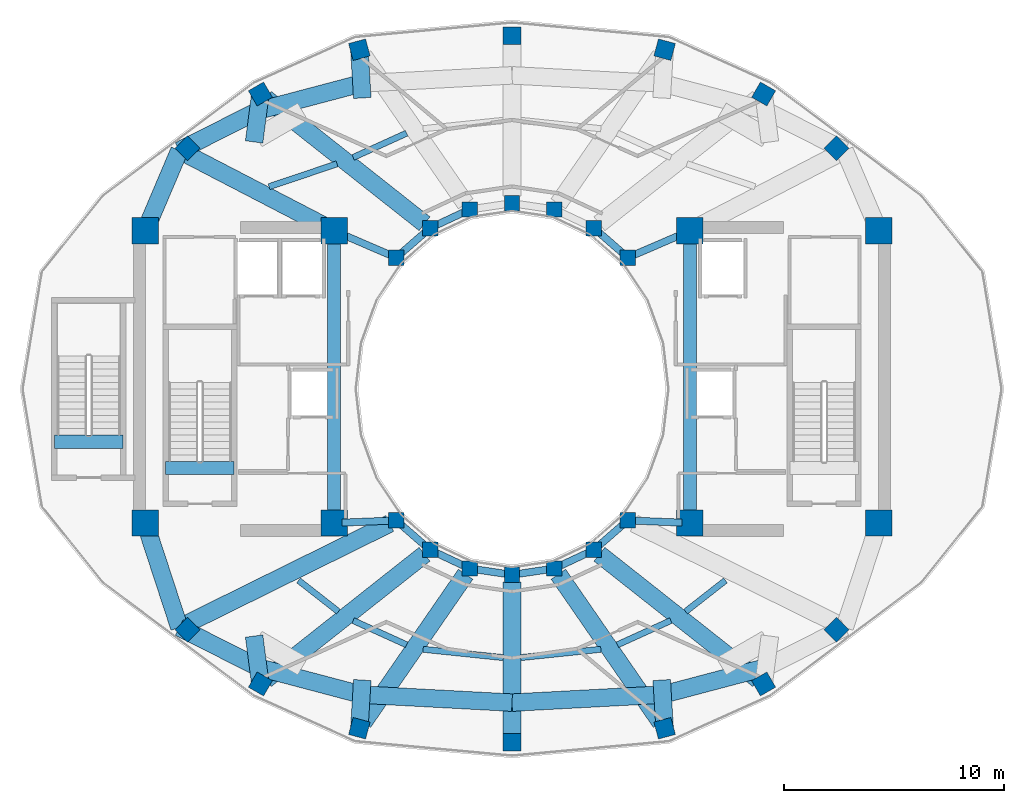
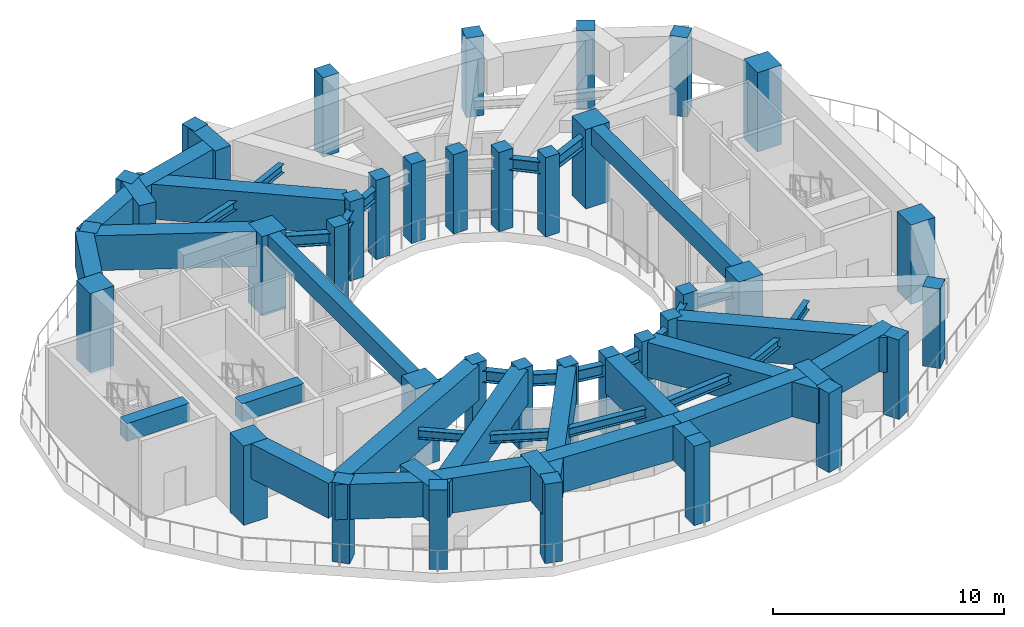
# One storey, part 1 of 9: 47 beams, 36 columns.
"""IFC4 building model written with IfcOpenShell, lengths in metres."""

from ifc_helpers import new_model, si_unit, direction, frame, origin, origin_2d, place, context, subcontext, project, spatial, rectangle, i_section, extrude, material, material_profile, profile_set, type_object, element, save


model = new_model("IFC4")

# Units and contexts
model_context = context("Model", 3, precision=1e-05, world=origin(), true_north=direction((0.0, 1.0)))
body_context = subcontext(model_context, "Body", "Model", "MODEL_VIEW")
ifc_project = project(units=[si_unit("LENGTHUNIT", "METRE"), si_unit("AREAUNIT", "SQUARE_METRE"), si_unit("VOLUMEUNIT", "CUBIC_METRE"), si_unit("PLANEANGLEUNIT", "RADIAN"), si_unit("MASSUNIT", "GRAM", prefix="KILO")], contexts=[model_context])

# Site, building, storey
site_placement = place(None, origin())
site = spatial("IfcSite", under=ifc_project, at=site_placement, CompositionType="ELEMENT")
building_placement = place(site_placement, origin())
building = spatial("IfcBuilding", under=site, at=building_placement, Name="Solvane Sanctuary Tower", CompositionType="ELEMENT")
storey_placement = place(building_placement, frame((0.0, 0.0, 197.39990234375)))
storey = spatial("IfcBuildingStorey", under=building, at=storey_placement, Name="L60", CompositionType="ELEMENT", Elevation=197.39990234375)

# Columns
ifc_material_1 = material(Name="Concrete C50/60", Category="concrete")
ifc_material_profile_1 = material_profile(ifc_material_1, rectangle(XDim=0.699951171875, YDim=0.699951171875, at=origin_2d()), Name="RC700X700")
ifc_profile_set_1 = profile_set([ifc_material_profile_1], Name="Concrete C50/60")
column_type_1 = type_object("IfcColumnType", Name="Column C-RING-Z4 RC700X700", PredefinedType="COLUMN", material=ifc_profile_set_1)
for number, where, z_axis, x_axis, name in (
    (1, (37.27490234375, 28.982177734375, 0.0), (0.0, 0.0, 1.0), (1.0, 0.0, 0.0), "L60 Inner Light-Well Ring Column IC01"),
    (2, (35.72998046875, 30.32666015625, 0.0), (0.0, 0.0, 1.0), (1.0, 0.0, 0.0), "L60 Inner Light-Well Ring Column IC02"),
    (3, (33.930908203125, 31.171630859375, 0.0), (0.0, 0.0, 1.0), (1.0, 0.0, 0.0), "L60 Inner Light-Well Ring Column IC03"),
    (4, (32.0, 31.4599609375, 0.0), (0.0, 0.0, 1.0), (1.0, 0.0, 0.0), "L60 Inner Light-Well Ring Column IC04"),
    (5, (30.069091796875, 31.171630859375, 0.0), (0.0, 0.0, 1.0), (1.0, 0.0, 0.0), "L60 Inner Light-Well Ring Column IC05"),
    (6, (28.27001953125, 30.32666015625, 0.0), (0.0, 0.0, 1.0), (1.0, 0.0, 0.0), "L60 Inner Light-Well Ring Column IC06"),
    (7, (26.72509765625, 28.982177734375, 0.0), (0.0, 0.0, 1.0), (1.0, 0.0, 0.0), "L60 Inner Light-Well Ring Column IC07"),
    (8, (26.72509765625, 17.017822265625, 0.0), (0.0, 0.0, 1.0), (1.0, 0.0, 0.0), "L60 Inner Light-Well Ring Column IC08"),
    (9, (28.27001953125, 15.67333984375, 0.0), (0.0, 0.0, 1.0), (1.0, 0.0, 0.0), "L60 Inner Light-Well Ring Column IC09"),
    (10, (30.069091796875, 14.828369140625, 0.0), (0.0, 0.0, 1.0), (1.0, 0.0, 0.0), "L60 Inner Light-Well Ring Column IC10"),
    (11, (32.0, 14.5400390625, 0.0), (0.0, 0.0, 1.0), (1.0, 0.0, 0.0), "L60 Inner Light-Well Ring Column IC11"),
    (12, (33.930908203125, 14.828369140625, 0.0), (0.0, 0.0, 1.0), (1.0, 0.0, 0.0), "L60 Inner Light-Well Ring Column IC12"),
    (13, (35.72998046875, 15.67333984375, 0.0), (0.0, 0.0, 1.0), (1.0, 0.0, 0.0), "L60 Inner Light-Well Ring Column IC13"),
    (14, (37.27490234375, 17.017822265625, 0.0), (0.0, 0.0, 1.0), (1.0, 0.0, 0.0), "L60 Inner Light-Well Ring Column IC14"),
):
    element("IfcColumn", number, at=place(storey_placement, frame(where, z_axis=z_axis, x_axis=x_axis)), inside=storey, type_object=column_type_1, Name=name, PredefinedType="COLUMN", context=body_context, shape_type="SweptSolid", body=[
        extrude(rectangle(XDim=0.699951171875, YDim=0.699951171875, at=origin_2d()), origin(), (0.0, 0.0, 1.0), 4.2001953125),
    ])
ifc_material_2 = material(Name="Concrete C70/85", Category="concrete")
ifc_material_profile_2 = material_profile(ifc_material_2, rectangle(XDim=1.199951171875, YDim=1.199951171875, at=origin_2d()), Name="RC1200X1200")
ifc_profile_set_2 = profile_set([ifc_material_profile_2], Name="Concrete C70/85")
column_type_2 = type_object("IfcColumnType", Name="Column C-TUBE-Z1 RC1200X1200", PredefinedType="COLUMN", material=ifc_profile_set_2)
for number, where, z_axis, x_axis, name in (
    (15, (15.300048828125, 16.89990234375, 0.0), (0.0, 0.0, 1.0), (1.0, 0.0, 0.0), "L60 Core Corner Column CW1"),
    (16, (23.89990234375, 16.89990234375, 0.0), (0.0, 0.0, 1.0), (1.0, 0.0, 0.0), "L60 Core Corner Column CW2"),
    (17, (23.89990234375, 30.199951171875, 0.0), (0.0, 0.0, 1.0), (1.0, 0.0, 0.0), "L60 Core Corner Column CW3"),
    (18, (15.300048828125, 30.199951171875, 0.0), (0.0, 0.0, 1.0), (1.0, 0.0, 0.0), "L60 Core Corner Column CW4"),
    (19, (40.10009765625, 16.89990234375, 0.0), (0.0, 0.0, 1.0), (1.0, 0.0, 0.0), "L60 Core Corner Column CE1"),
    (20, (48.699951171875, 16.89990234375, 0.0), (0.0, 0.0, 1.0), (1.0, 0.0, 0.0), "L60 Core Corner Column CE2"),
    (21, (48.699951171875, 30.199951171875, 0.0), (0.0, 0.0, 1.0), (1.0, 0.0, 0.0), "L60 Core Corner Column CE3"),
    (22, (40.10009765625, 30.199951171875, 0.0), (0.0, 0.0, 1.0), (1.0, 0.0, 0.0), "L60 Core Corner Column CE4"),
):
    element("IfcColumn", number, at=place(storey_placement, frame(where, z_axis=z_axis, x_axis=x_axis)), inside=storey, type_object=column_type_2, Name=name, PredefinedType="COLUMN", context=body_context, shape_type="SweptSolid", body=[
        extrude(rectangle(XDim=1.199951171875, YDim=1.199951171875, at=origin_2d()), origin(), (0.0, 0.0, 1.0), 4.2001953125),
    ])
ifc_material_profile_3 = material_profile(ifc_material_1, rectangle(XDim=0.800048828125, YDim=0.800048828125, at=origin_2d()), Name="RC800X800")
ifc_profile_set_3 = profile_set([ifc_material_profile_3], Name="Concrete C50/60")
column_type_3 = type_object("IfcColumnType", Name="Column C-TUBE-Z4 RC800X800", PredefinedType="COLUMN", material=ifc_profile_set_3)
for number, where, z_axis, x_axis, name in (
    (23, (46.77978515625, 33.962158203125, 0.0), (0.0, 0.0, 1.0), (0.707106781187, 0.707106781187, 0.0), "L60 Perimeter Tube Column TC01"),
    (24, (43.456298828125, 36.4296875, 0.0), (0.0, 0.0, 1.0), (0.5, 0.866025403784, 0.0), "L60 Perimeter Tube Column TC02"),
    (25, (38.949951171875, 38.4462890625, 0.0), (0.0, 0.0, 1.0), (0.258819045103, 0.965925826289, 0.0), "L60 Perimeter Tube Column TC03"),
    (26, (32.0, 39.080078125, 0.0), (0.0, 0.0, 1.0), (0.0, 1.0, 0.0), "L60 Perimeter Tube Column TC04"),
    (27, (25.050048828125, 38.4462890625, 0.0), (0.0, 0.0, 1.0), (-0.258819045103, 0.965925826289, 0.0), "L60 Perimeter Tube Column TC05"),
    (28, (20.543701171875, 36.4296875, 0.0), (0.0, 0.0, 1.0), (-0.5, 0.866025403784, 0.0), "L60 Perimeter Tube Column TC06"),
    (29, (17.22021484375, 33.962158203125, 0.0), (0.0, 0.0, 1.0), (-0.707106781187, 0.707106781187, 0.0), "L60 Perimeter Tube Column TC07"),
    (30, (17.22021484375, 12.037841796875, 0.0), (0.0, 0.0, 1.0), (-0.707106781187, -0.707106781187, 0.0), "L60 Perimeter Tube Column TC08"),
    (31, (20.543701171875, 9.5703125, 0.0), (0.0, 0.0, 1.0), (-0.5, -0.866025403784, 0.0), "L60 Perimeter Tube Column TC09"),
    (32, (25.050048828125, 7.5537109375, 0.0), (0.0, 0.0, 1.0), (-0.258819045103, -0.965925826289, 0.0), "L60 Perimeter Tube Column TC10"),
    (33, (32.0, 6.919921875, 0.0), (0.0, 0.0, 1.0), (0.0, -1.0, 0.0), "L60 Perimeter Tube Column TC11"),
    (34, (38.949951171875, 7.5537109375, 0.0), (0.0, 0.0, 1.0), (0.258819045103, -0.965925826289, 0.0), "L60 Perimeter Tube Column TC12"),
    (35, (43.456298828125, 9.5703125, 0.0), (0.0, 0.0, 1.0), (0.5, -0.866025403784, 0.0), "L60 Perimeter Tube Column TC13"),
    (36, (46.77978515625, 12.037841796875, 0.0), (0.0, 0.0, 1.0), (0.707106781187, -0.707106781187, 0.0), "L60 Perimeter Tube Column TC14"),
):
    element("IfcColumn", number, at=place(storey_placement, frame(where, z_axis=z_axis, x_axis=x_axis)), inside=storey, type_object=column_type_3, Name=name, PredefinedType="COLUMN", context=body_context, shape_type="SweptSolid", body=[
        extrude(rectangle(XDim=0.800048828125, YDim=0.800048828125, at=origin_2d()), origin(), (0.0, 0.0, 1.0), 4.2001953125),
    ])

# Beams
ifc_material_profile_4 = material_profile(ifc_material_2, rectangle(XDim=0.60009765625, YDim=0.949951171875, at=origin_2d()), Name="RC600X950")
ifc_profile_set_4 = profile_set([ifc_material_profile_4], Name="Concrete C70/85")
beam_type_1 = type_object("IfcBeamType", Name="Beam B-COUPLE RC600X950", PredefinedType="LINTEL", material=ifc_profile_set_4)
for number, where, z_axis, x_axis, name in (
    (37, (23.89990234375, 17.35009765625, 3.72509765625), (0.0, 1.0, 0.0), (-1.0, 0.0, 0.0), "L60 West Core Coupling Lintel"),
    (38, (40.10009765625, 17.35009765625, 3.72509765625), (0.0, 1.0, 0.0), (-1.0, 0.0, 0.0), "L60 East Core Coupling Lintel"),
):
    element("IfcBeam", number, at=place(storey_placement, frame(where, z_axis=z_axis, x_axis=x_axis)), inside=storey, type_object=beam_type_1, Name=name, PredefinedType="LINTEL", context=body_context, shape_type="SweptSolid", body=[
        extrude(rectangle(XDim=0.60009765625, YDim=0.949951171875, at=origin_2d()), origin(), (0.0, 0.0, 1.0), 12.39990234375),
    ])
for number, where, z_axis, x_axis, name in (
    (39, (16.22998046875, 19.399169921875, 3.72509765625), (1.0, 0.0, 0.0), (0.0, 1.0, 0.0), "L60 ST-1 Stair Floor Landing Trimmer"),
    (40, (11.169921875, 20.59912109375, 3.72509765625), (1.0, 0.0, 0.0), (0.0, 1.0, 0.0), "L60 ST-3 Stair Floor Landing Trimmer"),
):
    element("IfcBeam", number, at=place(storey_placement, frame(where, z_axis=z_axis, x_axis=x_axis)), inside=storey, type_object=beam_type_1, Name=name, PredefinedType="LINTEL", context=body_context, shape_type="SweptSolid", body=[
        extrude(rectangle(XDim=0.60009765625, YDim=0.949951171875, at=origin_2d()), origin(), (0.0, 0.0, 1.0), 3.1201171875),
    ])
ifc_material_3 = material(Name="Steel ASTM A992 Grade 50", Category="steel")
ifc_material_profile_5 = material_profile(ifc_material_3, i_section(OverallWidth=0.324951171875, OverallDepth=0.615966796875, WebThickness=0.013916015625, FlangeThickness=0.021484375, FilletRadius=0.01611328125, at=origin_2d()), Name="W24X117")
ifc_profile_set_5 = profile_set([ifc_material_profile_5], Name="Steel ASTM A992 Grade 50")
beam_type_2 = type_object("IfcBeamType", Name="Beam B-RING-IN2 W24X117", PredefinedType="BEAM", material=ifc_profile_set_5)
beam_1_placement = place(storey_placement, frame((24.230712890625, 30.0576171875, 3.39013671875), z_axis=(0.918283854026, -0.395922673554, 0.0), x_axis=(0.395922673554, 0.918283854026, 0.0)))
element("IfcBeam", 41, at=beam_1_placement, inside=storey, type_object=beam_type_2, Name="L60 Inner Light-Well Ring Beam CW3-IC07", PredefinedType="BEAM", context=body_context, shape_type="SweptSolid", body=[
    extrude(i_section(OverallWidth=0.324951171875, OverallDepth=0.615966796875, WebThickness=0.013916015625, FlangeThickness=0.021484375, FilletRadius=0.01611328125, at=origin_2d()), origin(), (0.0, 0.0, 1.0), 2.396240234375),
])
beam_2_placement = place(storey_placement, frame((26.96630859375, 29.192138671875, 3.39013671875), z_axis=(0.754388985763, 0.656427648839, 0.0), x_axis=(-0.656427648839, 0.754388985763, 0.0)))
element("IfcBeam", 42, at=beam_2_placement, inside=storey, type_object=beam_type_2, Name="L60 Inner Light-Well Ring Beam IC07-IC06", PredefinedType="BEAM", context=body_context, shape_type="SweptSolid", body=[
    extrude(i_section(OverallWidth=0.324951171875, OverallDepth=0.615966796875, WebThickness=0.013916015625, FlangeThickness=0.021484375, FilletRadius=0.01611328125, at=origin_2d()), origin(), (0.0, 0.0, 1.0), 1.408203125),
])
beam_3_placement = place(storey_placement, frame((28.5595703125, 30.462646484375, 3.39013671875), z_axis=(0.905134542189, 0.425125229241, 0.0), x_axis=(-0.425125229241, 0.905134542189, 0.0)))
element("IfcBeam", 43, at=beam_3_placement, inside=storey, type_object=beam_type_2, Name="L60 Inner Light-Well Ring Beam IC06-IC05", PredefinedType="BEAM", context=body_context, shape_type="SweptSolid", body=[
    extrude(i_section(OverallWidth=0.324951171875, OverallDepth=0.615966796875, WebThickness=0.013916015625, FlangeThickness=0.021484375, FilletRadius=0.01611328125, at=origin_2d()), origin(), (0.0, 0.0, 1.0), 1.347900390625),
])
beam_4_placement = place(storey_placement, frame((35.971435546875, 30.116455078125, 3.39013671875), z_axis=(0.754388985763, -0.656427648839, 0.0), x_axis=(0.656427648839, 0.754388985763, 0.0)))
element("IfcBeam", 44, at=beam_4_placement, inside=storey, type_object=beam_type_2, Name="L60 Inner Light-Well Ring Beam IC02-IC01", PredefinedType="BEAM", context=body_context, shape_type="SweptSolid", body=[
    extrude(i_section(OverallWidth=0.324951171875, OverallDepth=0.615966796875, WebThickness=0.013916015625, FlangeThickness=0.021484375, FilletRadius=0.01611328125, at=origin_2d()), origin(), (0.0, 0.0, 1.0), 1.408203125),
])
beam_5_placement = place(storey_placement, frame((37.56884765625, 29.10888671875, 3.39013671875), z_axis=(0.918283854026, 0.395922673554, 0.0), x_axis=(-0.395922673554, 0.918283854026, 0.0)))
element("IfcBeam", 45, at=beam_5_placement, inside=storey, type_object=beam_type_2, Name="L60 Inner Light-Well Ring Beam IC01-CE4", PredefinedType="BEAM", context=body_context, shape_type="SweptSolid", body=[
    extrude(i_section(OverallWidth=0.324951171875, OverallDepth=0.615966796875, WebThickness=0.013916015625, FlangeThickness=0.021484375, FilletRadius=0.01611328125, at=origin_2d()), origin(), (0.0, 0.0, 1.0), 2.396240234375),
])
beam_6_placement = place(storey_placement, frame((24.259765625, 16.9150390625, 3.39013671875), z_axis=(0.999129127803, 0.041725124022, 0.0), x_axis=(-0.041725124022, 0.999129127803, 0.0)))
element("IfcBeam", 46, at=beam_6_placement, inside=storey, type_object=beam_type_2, Name="L60 Inner Light-Well Ring Beam CW2-IC08", PredefinedType="BEAM", context=body_context, shape_type="SweptSolid", body=[
    extrude(i_section(OverallWidth=0.324951171875, OverallDepth=0.615966796875, WebThickness=0.013916015625, FlangeThickness=0.021484375, FilletRadius=0.01611328125, at=origin_2d()), origin(), (0.0, 0.0, 1.0), 2.1474609375),
])
beam_7_placement = place(storey_placement, frame((26.96630859375, 16.807861328125, 3.39013671875), z_axis=(0.754388985763, -0.656427648839, 0.0), x_axis=(0.656427648839, 0.754388985763, 0.0)))
element("IfcBeam", 47, at=beam_7_placement, inside=storey, type_object=beam_type_2, Name="L60 Inner Light-Well Ring Beam IC08-IC09", PredefinedType="BEAM", context=body_context, shape_type="SweptSolid", body=[
    extrude(i_section(OverallWidth=0.324951171875, OverallDepth=0.615966796875, WebThickness=0.013916015625, FlangeThickness=0.021484375, FilletRadius=0.01611328125, at=origin_2d()), origin(), (0.0, 0.0, 1.0), 1.408203125),
])
beam_8_placement = place(storey_placement, frame((28.5595703125, 15.537353515625, 3.39013671875), z_axis=(0.905134542189, -0.425125229241, 0.0), x_axis=(0.425125229241, 0.905134542189, 0.0)))
element("IfcBeam", 48, at=beam_8_placement, inside=storey, type_object=beam_type_2, Name="L60 Inner Light-Well Ring Beam IC09-IC10", PredefinedType="BEAM", context=body_context, shape_type="SweptSolid", body=[
    extrude(i_section(OverallWidth=0.324951171875, OverallDepth=0.615966796875, WebThickness=0.013916015625, FlangeThickness=0.021484375, FilletRadius=0.01611328125, at=origin_2d()), origin(), (0.0, 0.0, 1.0), 1.347900390625),
])
for number, where, z_axis, x_axis, name in (
    (49, (30.3857421875, 14.781005859375, 3.39013671875), (0.989056121481, -0.147539786368, 0.0), (0.147539786368, 0.989056121481, 0.0), "L60 Inner Light-Well Ring Beam IC10-IC11"),
    (50, (32.31640625, 14.58740234375, 3.39013671875), (0.989056121481, 0.147539786368, 0.0), (-0.147539786368, 0.989056121481, 0.0), "L60 Inner Light-Well Ring Beam IC11-IC12"),
):
    element("IfcBeam", number, at=place(storey_placement, frame(where, z_axis=z_axis, x_axis=x_axis)), inside=storey, type_object=beam_type_2, Name=name, PredefinedType="BEAM", context=body_context, shape_type="SweptSolid", body=[
        extrude(i_section(OverallWidth=0.324951171875, OverallDepth=0.615966796875, WebThickness=0.013916015625, FlangeThickness=0.021484375, FilletRadius=0.01611328125, at=origin_2d()), origin(), (0.0, 0.0, 1.0), 1.312255859375),
    ])
beam_9_placement = place(storey_placement, frame((34.220458984375, 14.96435546875, 3.39013671875), z_axis=(0.905134542189, 0.425125229241, 0.0), x_axis=(-0.425125229241, 0.905134542189, 0.0)))
element("IfcBeam", 51, at=beam_9_placement, inside=storey, type_object=beam_type_2, Name="L60 Inner Light-Well Ring Beam IC12-IC13", PredefinedType="BEAM", context=body_context, shape_type="SweptSolid", body=[
    extrude(i_section(OverallWidth=0.324951171875, OverallDepth=0.615966796875, WebThickness=0.013916015625, FlangeThickness=0.021484375, FilletRadius=0.01611328125, at=origin_2d()), origin(), (0.0, 0.0, 1.0), 1.347900390625),
])
beam_10_placement = place(storey_placement, frame((35.971435546875, 15.883544921875, 3.39013671875), z_axis=(0.754388985763, 0.656427648839, 0.0), x_axis=(-0.656427648839, 0.754388985763, 0.0)))
element("IfcBeam", 52, at=beam_10_placement, inside=storey, type_object=beam_type_2, Name="L60 Inner Light-Well Ring Beam IC13-IC14", PredefinedType="BEAM", context=body_context, shape_type="SweptSolid", body=[
    extrude(i_section(OverallWidth=0.324951171875, OverallDepth=0.615966796875, WebThickness=0.013916015625, FlangeThickness=0.021484375, FilletRadius=0.01611328125, at=origin_2d()), origin(), (0.0, 0.0, 1.0), 1.408203125),
])
beam_11_placement = place(storey_placement, frame((37.5947265625, 17.004638671875, 3.39013671875), z_axis=(0.999129127803, -0.041725124022, 0.0), x_axis=(0.041725124022, 0.999129127803, 0.0)))
element("IfcBeam", 53, at=beam_11_placement, inside=storey, type_object=beam_type_2, Name="L60 Inner Light-Well Ring Beam IC14-CE1", PredefinedType="BEAM", context=body_context, shape_type="SweptSolid", body=[
    extrude(i_section(OverallWidth=0.324951171875, OverallDepth=0.615966796875, WebThickness=0.013916015625, FlangeThickness=0.021484375, FilletRadius=0.01611328125, at=origin_2d()), origin(), (0.0, 0.0, 1.0), 2.1474609375),
])
ifc_material_profile_6 = material_profile(ifc_material_3, i_section(OverallWidth=0.280029296875, OverallDepth=0.462890625, WebThickness=0.0107421875, FlangeThickness=0.017333984375, FilletRadius=0.013916015625, at=origin_2d()), Name="W18X76")
ifc_profile_set_6 = profile_set([ifc_material_profile_6], Name="Steel ASTM A992 Grade 50")
beam_type_3 = type_object("IfcBeamType", Name="Beam B-SEC-JOIST W18X76", PredefinedType="JOIST", material=ifc_profile_set_6)
beam_12_placement = place(storey_placement, frame((20.934326171875, 32.207275390625, 3.466552734375), z_axis=(0.947587535957, 0.319496262419, 0.0), x_axis=(-0.319496262419, 0.947587535957, 0.0)))
element("IfcBeam", 54, at=beam_12_placement, inside=storey, type_object=beam_type_3, Name="L60 Secondary Circumferential Joist 07-06", PredefinedType="JOIST", context=body_context, shape_type="SweptSolid", body=[
    extrude(i_section(OverallWidth=0.280029296875, OverallDepth=0.462890625, WebThickness=0.0107421875, FlangeThickness=0.017333984375, FilletRadius=0.013916015625, at=origin_2d()), origin(), (0.0, 0.0, 1.0), 3.269775390625),
])
beam_13_placement = place(storey_placement, frame((24.7666015625, 33.54150390625, 3.466552734375), z_axis=(0.910622872015, 0.413238411771, 0.0), x_axis=(-0.413238411771, 0.910622872015, 0.0)))
element("IfcBeam", 55, at=beam_13_placement, inside=storey, type_object=beam_type_3, Name="L60 Secondary Circumferential Joist 06-05", PredefinedType="JOIST", context=body_context, shape_type="SweptSolid", body=[
    extrude(i_section(OverallWidth=0.280029296875, OverallDepth=0.462890625, WebThickness=0.0107421875, FlangeThickness=0.017333984375, FilletRadius=0.013916015625, at=origin_2d()), origin(), (0.0, 0.0, 1.0), 2.672119140625),
])
beam_14_placement = place(storey_placement, frame((22.283447265625, 14.284423828125, 3.466552734375), z_axis=(0.787355033069, -0.616499839336, 0.0), x_axis=(0.616499839336, 0.787355033069, 0.0)))
element("IfcBeam", 56, at=beam_14_placement, inside=storey, type_object=beam_type_3, Name="L60 Secondary Circumferential Joist 08-09", PredefinedType="JOIST", context=body_context, shape_type="SweptSolid", body=[
    extrude(i_section(OverallWidth=0.280029296875, OverallDepth=0.462890625, WebThickness=0.0107421875, FlangeThickness=0.017333984375, FilletRadius=0.013916015625, at=origin_2d()), origin(), (0.0, 0.0, 1.0), 2.302001953125),
])
beam_15_placement = place(storey_placement, frame((24.7666015625, 12.45849609375, 3.466552734375), z_axis=(0.910622872015, -0.413238411771, 0.0), x_axis=(0.413238411771, 0.910622872015, 0.0)))
element("IfcBeam", 57, at=beam_15_placement, inside=storey, type_object=beam_type_3, Name="L60 Secondary Circumferential Joist 09-10", PredefinedType="JOIST", context=body_context, shape_type="SweptSolid", body=[
    extrude(i_section(OverallWidth=0.280029296875, OverallDepth=0.462890625, WebThickness=0.0107421875, FlangeThickness=0.017333984375, FilletRadius=0.013916015625, at=origin_2d()), origin(), (0.0, 0.0, 1.0), 2.672119140625),
])
beam_16_placement = place(storey_placement, frame((27.952392578125, 11.150146484375, 3.466552734375), z_axis=(0.994655148104, -0.103252778901, 0.0), x_axis=(0.103252778901, 0.994655148104, 0.0)))
element("IfcBeam", 58, at=beam_16_placement, inside=storey, type_object=beam_type_3, Name="L60 Secondary Circumferential Joist 10-11", PredefinedType="JOIST", context=body_context, shape_type="SweptSolid", body=[
    extrude(i_section(OverallWidth=0.280029296875, OverallDepth=0.462890625, WebThickness=0.0107421875, FlangeThickness=0.017333984375, FilletRadius=0.013916015625, at=origin_2d()), origin(), (0.0, 0.0, 1.0), 3.67431640625),
])
beam_17_placement = place(storey_placement, frame((32.392822265625, 10.770751953125, 3.466552734375), z_axis=(0.994654439673, 0.10325960313, 0.0), x_axis=(-0.10325960313, 0.994654439673, 0.0)))
element("IfcBeam", 59, at=beam_17_placement, inside=storey, type_object=beam_type_3, Name="L60 Secondary Circumferential Joist 11-12", PredefinedType="JOIST", context=body_context, shape_type="SweptSolid", body=[
    extrude(i_section(OverallWidth=0.280029296875, OverallDepth=0.462890625, WebThickness=0.0107421875, FlangeThickness=0.017333984375, FilletRadius=0.013916015625, at=origin_2d()), origin(), (0.0, 0.0, 1.0), 3.674072265625),
])
beam_18_placement = place(storey_placement, frame((36.800048828125, 11.354248046875, 3.466552734375), z_axis=(0.910622872015, 0.413238411771, 0.0), x_axis=(-0.413238411771, 0.910622872015, 0.0)))
element("IfcBeam", 60, at=beam_18_placement, inside=storey, type_object=beam_type_3, Name="L60 Secondary Circumferential Joist 12-13", PredefinedType="JOIST", context=body_context, shape_type="SweptSolid", body=[
    extrude(i_section(OverallWidth=0.280029296875, OverallDepth=0.462890625, WebThickness=0.0107421875, FlangeThickness=0.017333984375, FilletRadius=0.013916015625, at=origin_2d()), origin(), (0.0, 0.0, 1.0), 2.672119140625),
])
beam_19_placement = place(storey_placement, frame((39.904052734375, 12.865234375, 3.466552734375), z_axis=(0.787355033069, 0.616499839336, 0.0), x_axis=(-0.616499839336, 0.787355033069, 0.0)))
element("IfcBeam", 61, at=beam_19_placement, inside=storey, type_object=beam_type_3, Name="L60 Secondary Circumferential Joist 13-14", PredefinedType="JOIST", context=body_context, shape_type="SweptSolid", body=[
    extrude(i_section(OverallWidth=0.280029296875, OverallDepth=0.462890625, WebThickness=0.0107421875, FlangeThickness=0.017333984375, FilletRadius=0.013916015625, at=origin_2d()), origin(), (0.0, 0.0, 1.0), 2.302001953125),
])
ifc_material_profile_7 = material_profile(ifc_material_2, rectangle(XDim=0.800048828125, YDim=1.85009765625, at=origin_2d()), Name="RC800X1850")
ifc_profile_set_7 = profile_set([ifc_material_profile_7], Name="Concrete C70/85")
beam_type_4 = type_object("IfcBeamType", Name="Beam B-XFER-BLK RC800X1850", PredefinedType="BEAM", material=ifc_profile_set_7)
beam_20_placement = place(storey_placement, frame((25.05322265625, 38.396484375, 3.275146484375), z_axis=(0.061091593214, -0.998132164214, 0.0), x_axis=(0.998132164214, 0.061091593214, 0.0)))
element("IfcBeam", 62, at=beam_20_placement, inside=storey, type_object=beam_type_4, Name="L60 Block-Shift Transfer Tie 05B", PredefinedType="BEAM", context=body_context, shape_type="SweptSolid", body=[
    extrude(rectangle(XDim=0.800048828125, YDim=1.85009765625, at=origin_2d()), origin(), (0.0, 0.0, 1.0), 2.14990234375),
])
beam_21_placement = place(storey_placement, frame((28.018798828125, 30.52490234375, 3.275146484375), z_axis=(-0.784698765769, 0.619877283824, 0.0), x_axis=(-0.619877283824, -0.784698765769, 0.0)))
element("IfcBeam", 63, at=beam_21_placement, inside=storey, type_object=beam_type_4, Name="L60 Block-Shift Radial Transfer Girder 06A", PredefinedType="BEAM", context=body_context, shape_type="SweptSolid", body=[
    extrude(rectangle(XDim=0.800048828125, YDim=1.85009765625, at=origin_2d()), origin(), (0.0, 0.0, 1.0), 9.205810546875),
])
beam_22_placement = place(storey_placement, frame((20.537353515625, 36.380126953125, 3.275146484375), z_axis=(-0.129567347912, -0.991570623988, 0.0), x_axis=(0.991570623988, -0.129567347912, 0.0)))
element("IfcBeam", 64, at=beam_22_placement, inside=storey, type_object=beam_type_4, Name="L60 Block-Shift Transfer Tie 06B", PredefinedType="BEAM", context=body_context, shape_type="SweptSolid", body=[
    extrude(rectangle(XDim=0.800048828125, YDim=1.85009765625, at=origin_2d()), origin(), (0.0, 0.0, 1.0), 2.14990234375),
])
beam_23_placement = place(storey_placement, frame((23.58056640625, 30.365966796875, 3.275146484375), z_axis=(-0.88755891037, 0.460694237671, 0.0), x_axis=(-0.460694237671, -0.88755891037, 0.0)))
element("IfcBeam", 65, at=beam_23_placement, inside=storey, type_object=beam_type_4, Name="L60 Block-Shift Radial Transfer Girder 07A", PredefinedType="BEAM", context=body_context, shape_type="SweptSolid", body=[
    extrude(rectangle(XDim=0.800048828125, YDim=1.85009765625, at=origin_2d()), origin(), (0.0, 0.0, 1.0), 7.57763671875),
])
beam_24_placement = place(storey_placement, frame((26.43798828125, 16.876220703125, 3.275146484375), z_axis=(-0.896600237992, -0.442840844134, 0.0), x_axis=(0.442840844134, -0.896600237992, 0.0)))
element("IfcBeam", 66, at=beam_24_placement, inside=storey, type_object=beam_type_4, Name="L60 Block-Shift Radial Transfer Girder 08A", PredefinedType="BEAM", context=body_context, shape_type="SweptSolid", body=[
    extrude(rectangle(XDim=0.800048828125, YDim=1.85009765625, at=origin_2d()), origin(), (0.0, 0.0, 1.0), 10.688232421875),
])
beam_25_placement = place(storey_placement, frame((28.018798828125, 15.47509765625, 3.275146484375), z_axis=(-0.784698765769, -0.619877283824, 0.0), x_axis=(0.619877283824, -0.784698765769, 0.0)))
element("IfcBeam", 67, at=beam_25_placement, inside=storey, type_object=beam_type_4, Name="L60 Block-Shift Radial Transfer Girder 09A", PredefinedType="BEAM", context=body_context, shape_type="SweptSolid", body=[
    extrude(rectangle(XDim=0.800048828125, YDim=1.85009765625, at=origin_2d()), origin(), (0.0, 0.0, 1.0), 9.205810546875),
])
beam_26_placement = place(storey_placement, frame((20.537353515625, 9.619873046875, 3.275146484375), z_axis=(-0.129567347912, 0.991570623988, 0.0), x_axis=(-0.991570623988, -0.129567347912, 0.0)))
element("IfcBeam", 68, at=beam_26_placement, inside=storey, type_object=beam_type_4, Name="L60 Block-Shift Transfer Tie 09B", PredefinedType="BEAM", context=body_context, shape_type="SweptSolid", body=[
    extrude(rectangle(XDim=0.800048828125, YDim=1.85009765625, at=origin_2d()), origin(), (0.0, 0.0, 1.0), 2.14990234375),
])
beam_27_placement = place(storey_placement, frame((29.887451171875, 14.56494140625, 3.275146484375), z_axis=(-0.567906920468, -0.823092783157, 0.0), x_axis=(0.823092783157, -0.567906920468, 0.0)))
element("IfcBeam", 69, at=beam_27_placement, inside=storey, type_object=beam_type_4, Name="L60 Block-Shift Radial Transfer Girder 10A", PredefinedType="BEAM", context=body_context, shape_type="SweptSolid", body=[
    extrude(rectangle(XDim=0.800048828125, YDim=1.85009765625, at=origin_2d()), origin(), (0.0, 0.0, 1.0), 8.197998046875),
])
beam_28_placement = place(storey_placement, frame((25.05322265625, 7.603515625, 3.275146484375), z_axis=(0.061091593214, 0.998132164214, 0.0), x_axis=(-0.998132164214, 0.061091593214, 0.0)))
element("IfcBeam", 70, at=beam_28_placement, inside=storey, type_object=beam_type_4, Name="L60 Block-Shift Transfer Tie 10B", PredefinedType="BEAM", context=body_context, shape_type="SweptSolid", body=[
    extrude(rectangle(XDim=0.800048828125, YDim=1.85009765625, at=origin_2d()), origin(), (0.0, 0.0, 1.0), 2.14990234375),
])
beam_29_placement = place(storey_placement, frame((32.0, 14.219970703125, 3.275146484375), z_axis=(0.0, -1.0, 0.0), x_axis=(1.0, 0.0, 0.0)))
element("IfcBeam", 71, at=beam_29_placement, inside=storey, type_object=beam_type_4, Name="L60 Block-Shift Radial Transfer Girder 11A", PredefinedType="BEAM", context=body_context, shape_type="SweptSolid", body=[
    extrude(rectangle(XDim=0.800048828125, YDim=1.85009765625, at=origin_2d()), origin(), (0.0, 0.0, 1.0), 7.02001953125),
])
beam_30_placement = place(storey_placement, frame((34.112548828125, 14.56494140625, 3.275146484375), z_axis=(0.567906920468, -0.823092783157, 0.0), x_axis=(0.823092783157, 0.567906920468, 0.0)))
element("IfcBeam", 72, at=beam_30_placement, inside=storey, type_object=beam_type_4, Name="L60 Block-Shift Radial Transfer Girder 12A", PredefinedType="BEAM", context=body_context, shape_type="SweptSolid", body=[
    extrude(rectangle(XDim=0.800048828125, YDim=1.85009765625, at=origin_2d()), origin(), (0.0, 0.0, 1.0), 8.197998046875),
])
beam_31_placement = place(storey_placement, frame((38.94677734375, 7.603515625, 3.275146484375), z_axis=(-0.061091593214, 0.998132164214, 0.0), x_axis=(-0.998132164214, -0.061091593214, 0.0)))
element("IfcBeam", 73, at=beam_31_placement, inside=storey, type_object=beam_type_4, Name="L60 Block-Shift Transfer Tie 12B", PredefinedType="BEAM", context=body_context, shape_type="SweptSolid", body=[
    extrude(rectangle(XDim=0.800048828125, YDim=1.85009765625, at=origin_2d()), origin(), (0.0, 0.0, 1.0), 2.14990234375),
])
beam_32_placement = place(storey_placement, frame((35.981201171875, 15.47509765625, 3.275146484375), z_axis=(0.784698765769, -0.619877283824, 0.0), x_axis=(0.619877283824, 0.784698765769, 0.0)))
element("IfcBeam", 74, at=beam_32_placement, inside=storey, type_object=beam_type_4, Name="L60 Block-Shift Radial Transfer Girder 13A", PredefinedType="BEAM", context=body_context, shape_type="SweptSolid", body=[
    extrude(rectangle(XDim=0.800048828125, YDim=1.85009765625, at=origin_2d()), origin(), (0.0, 0.0, 1.0), 9.205810546875),
])
beam_33_placement = place(storey_placement, frame((15.44091796875, 30.53125, 3.275146484375), z_axis=(0.391292272536, 0.920266460029, 0.0), x_axis=(-0.920266460029, 0.391292272536, 0.0)))
element("IfcBeam", 75, at=beam_33_placement, inside=storey, type_object=beam_type_4, Name="L60 Perimeter Step Transfer Ring CW4-NTC07", PredefinedType="BEAM", context=body_context, shape_type="SweptSolid", body=[
    extrude(rectangle(XDim=0.800048828125, YDim=1.85009765625, at=origin_2d()), origin(), (0.0, 0.0, 1.0), 3.61376953125),
])
beam_34_placement = place(storey_placement, frame((16.85498046875, 33.85693359375, 3.275146484375), z_axis=(0.892354283523, 0.451335609804, 0.0), x_axis=(-0.451335609804, 0.892354283523, 0.0)))
element("IfcBeam", 76, at=beam_34_placement, inside=storey, type_object=beam_type_4, Name="L60 Perimeter Step Transfer Ring NTC07-NTC06", PredefinedType="BEAM", context=body_context, shape_type="SweptSolid", body=[
    extrude(rectangle(XDim=0.800048828125, YDim=1.85009765625, at=origin_2d()), origin(), (0.0, 0.0, 1.0), 4.02294921875),
])
beam_35_placement = place(storey_placement, frame((20.44482421875, 35.672607421875, 3.275146484375), z_axis=(0.966814415535, 0.255479717224, 0.0), x_axis=(-0.255479717224, 0.966814415535, 0.0)))
element("IfcBeam", 77, at=beam_35_placement, inside=storey, type_object=beam_type_4, Name="L60 Perimeter Step Transfer Ring NTC06-NTC05", PredefinedType="BEAM", context=body_context, shape_type="SweptSolid", body=[
    extrude(rectangle(XDim=0.800048828125, YDim=1.85009765625, at=origin_2d()), origin(), (0.0, 0.0, 1.0), 4.8603515625),
])
beam_36_placement = place(storey_placement, frame((15.411865234375, 16.557861328125, 3.275146484375), z_axis=(0.310703240014, -0.950506968225, 0.0), x_axis=(0.950506968225, 0.310703240014, 0.0)))
element("IfcBeam", 78, at=beam_36_placement, inside=storey, type_object=beam_type_4, Name="L60 Perimeter Step Transfer Ring CW1-NTC08", PredefinedType="BEAM", context=body_context, shape_type="SweptSolid", body=[
    extrude(rectangle(XDim=0.800048828125, YDim=1.85009765625, at=origin_2d()), origin(), (0.0, 0.0, 1.0), 4.644775390625),
])
beam_37_placement = place(storey_placement, frame((16.85498046875, 12.14306640625, 3.275146484375), z_axis=(0.892354283523, -0.451335609804, 0.0), x_axis=(0.451335609804, 0.892354283523, 0.0)))
element("IfcBeam", 79, at=beam_37_placement, inside=storey, type_object=beam_type_4, Name="L60 Perimeter Step Transfer Ring NTC08-NTC09", PredefinedType="BEAM", context=body_context, shape_type="SweptSolid", body=[
    extrude(rectangle(XDim=0.800048828125, YDim=1.85009765625, at=origin_2d()), origin(), (0.0, 0.0, 1.0), 4.02294921875),
])
beam_38_placement = place(storey_placement, frame((20.44482421875, 10.327392578125, 3.275146484375), z_axis=(0.966814415535, -0.255479717224, 0.0), x_axis=(0.255479717224, 0.966814415535, 0.0)))
element("IfcBeam", 80, at=beam_38_placement, inside=storey, type_object=beam_type_4, Name="L60 Perimeter Step Transfer Ring NTC09-NTC10", PredefinedType="BEAM", context=body_context, shape_type="SweptSolid", body=[
    extrude(rectangle(XDim=0.800048828125, YDim=1.85009765625, at=origin_2d()), origin(), (0.0, 0.0, 1.0), 4.8603515625),
])
for number, where, z_axis, x_axis, name in (
    (81, (25.143798828125, 9.085693359375, 3.275146484375), (0.998580350788, -0.053266152672, 0.0), (0.053266152672, 0.998580350788, 0.0), "L60 Perimeter Step Transfer Ring NTC10-NTC11"),
    (82, (32.0, 8.719970703125, 3.275146484375), (0.998580350788, 0.053266152672, 0.0), (-0.053266152672, 0.998580350788, 0.0), "L60 Perimeter Step Transfer Ring NTC11-NTC12"),
):
    element("IfcBeam", number, at=place(storey_placement, frame(where, z_axis=z_axis, x_axis=x_axis)), inside=storey, type_object=beam_type_4, Name=name, PredefinedType="BEAM", context=body_context, shape_type="SweptSolid", body=[
        extrude(rectangle(XDim=0.800048828125, YDim=1.85009765625, at=origin_2d()), origin(), (0.0, 0.0, 1.0), 6.865966796875),
    ])
beam_39_placement = place(storey_placement, frame((38.856201171875, 9.085693359375, 3.275146484375), z_axis=(0.966814415535, 0.255479717224, 0.0), x_axis=(-0.255479717224, 0.966814415535, 0.0)))
element("IfcBeam", 83, at=beam_39_placement, inside=storey, type_object=beam_type_4, Name="L60 Perimeter Step Transfer Ring NTC12-NTC13", PredefinedType="BEAM", context=body_context, shape_type="SweptSolid", body=[
    extrude(rectangle(XDim=0.800048828125, YDim=1.85009765625, at=origin_2d()), origin(), (0.0, 0.0, 1.0), 4.8603515625),
])

save(model, "model.ifc")
